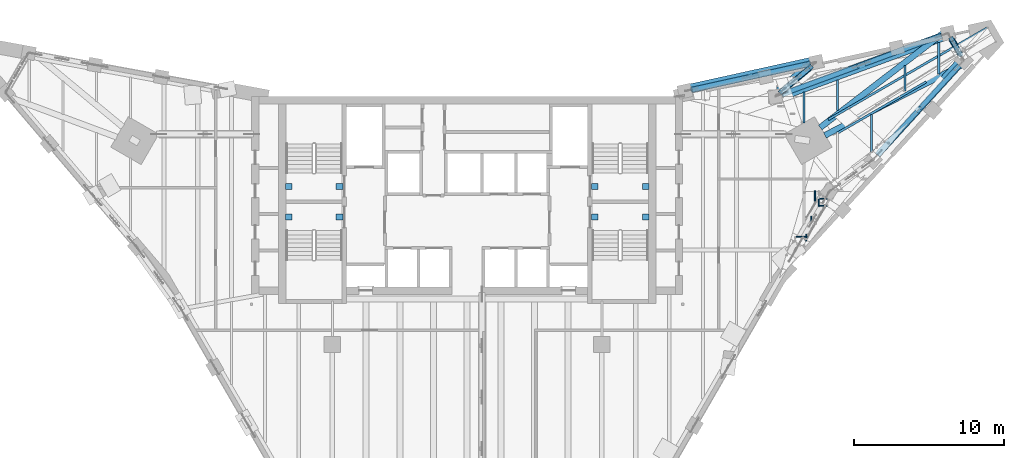
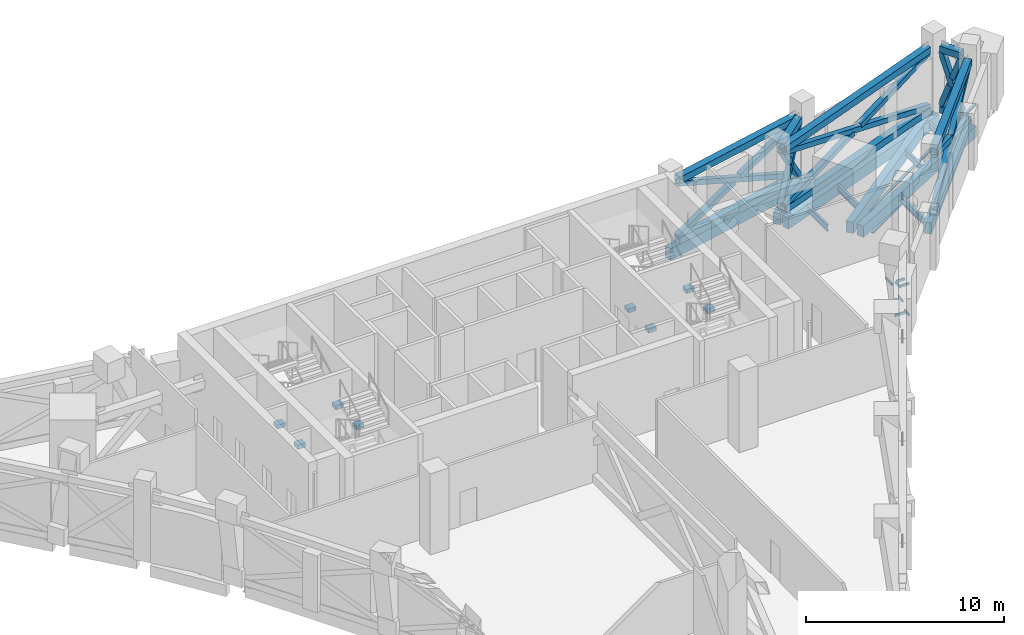
# One storey, part 5 of 23: 34 members, 19 beams, 1 element without a shape of its own.
"""IFC4 building model written with IfcOpenShell, lengths in metres."""

from ifc_helpers import new_model, si_unit, direction, frame, origin, origin_2d, place, context, subcontext, project, spatial, rectangle, hollow_rectangle, i_section, extrude, material, material_profile, profile_set, type_object, element, aggregate, save


model = new_model("IFC4")

# Units and contexts
model_context = context("Model", 3, precision=1e-05, world=origin(), true_north=direction((0.0, 1.0)))
body_context = subcontext(model_context, "Body", "Model", "MODEL_VIEW")
ifc_project = project(units=[si_unit("LENGTHUNIT", "METRE"), si_unit("AREAUNIT", "SQUARE_METRE"), si_unit("VOLUMEUNIT", "CUBIC_METRE"), si_unit("PLANEANGLEUNIT", "RADIAN"), si_unit("MASSUNIT", "GRAM", prefix="KILO")], contexts=[model_context])

# Site, building, storey
site_placement = place(None, origin())
site = spatial("IfcSite", under=ifc_project, at=site_placement, CompositionType="ELEMENT")
building_placement = place(site_placement, origin())
building = spatial("IfcBuilding", under=site, at=building_placement, Name="Calabash Gate Tower", CompositionType="ELEMENT")
storey_placement = place(building_placement, frame((0.0, 0.0, 243.199951171875)))
storey = spatial("IfcBuildingStorey", under=building, at=storey_placement, Name="L58", CompositionType="ELEMENT", Elevation=243.199951171875)

# Members
ifc_material_1 = material(Name="Steel ASTM A500 Gr C", Category="steel")
ifc_material_profile_1 = material_profile(ifc_material_1, hollow_rectangle(XDim=0.406494140625, YDim=0.406494140625, WallThickness=0.015869140625, at=origin_2d()))
ifc_profile_set_1 = profile_set([ifc_material_profile_1], Name="Steel ASTM A500 Gr C")
member_type_1 = type_object("IfcMemberType", Name="Belt truss chord HSS16X16X.625 ASTM A500 Gr C", PredefinedType="CHORD", material=ifc_profile_set_1)
for number, where, z_axis, x_axis, name in (
    (1, (27.407958984375, 15.158203125, 0.203369140625), (0.674845183732, 0.737959333564, 0.0), (-0.737959333564, 0.674845183732, 0.0), "Belt chord L58 56"),
    (2, (27.407958984375, 15.158203125, 3.9267578125), (0.674845183732, 0.737959333564, 0.0), (-0.737959333564, 0.674845183732, 0.0), "Belt chord L58 57"),
):
    element("IfcMember", number, at=place(storey_placement, frame(where, z_axis=z_axis, x_axis=x_axis)), inside=storey, type_object=member_type_1, Name=name, PredefinedType="CHORD", context=body_context, shape_type="SweptSolid", body=[
        extrude(hollow_rectangle(XDim=0.406494140625, YDim=0.406494140625, WallThickness=0.015869140625, at=origin_2d()), origin(), (0.0, 0.0, 1.0), 8.10009765625),
    ])
for number, where, z_axis, x_axis, name in (
    (3, (32.94189453125, 21.87646484375, 0.203369140625), (-0.499867053809, 0.866102146699, 0.0), (-0.866102146699, -0.499867053809, 0.0), "Belt chord L58 61"),
    (4, (32.94189453125, 21.87646484375, 3.9267578125), (-0.499867053809, 0.866102146699, 0.0), (-0.866102146699, -0.499867053809, 0.0), "Belt chord L58 62"),
):
    element("IfcMember", number, at=place(storey_placement, frame(where, z_axis=z_axis, x_axis=x_axis)), inside=storey, type_object=member_type_1, Name=name, PredefinedType="CHORD", context=body_context, shape_type="SweptSolid", body=[
        extrude(hollow_rectangle(XDim=0.406494140625, YDim=0.406494140625, WallThickness=0.015869140625, at=origin_2d()), origin(), (0.0, 0.0, 1.0), 1.169189453125),
    ])
for number, where, z_axis, x_axis, name in (
    (5, (31.695068359375, 23.14111328125, 0.203369140625), (-0.938548949122, -0.345146157593, 0.0), (0.345146157593, -0.938548949122, 0.0), "Belt chord L58 66"),
    (6, (31.695068359375, 23.14111328125, 3.9267578125), (-0.938548949122, -0.345146157593, 0.0), (0.345146157593, -0.938548949122, 0.0), "Belt chord L58 67"),
):
    element("IfcMember", number, at=place(storey_placement, frame(where, z_axis=z_axis, x_axis=x_axis)), inside=storey, type_object=member_type_1, Name=name, PredefinedType="CHORD", context=body_context, shape_type="SweptSolid", body=[
        extrude(hollow_rectangle(XDim=0.406494140625, YDim=0.406494140625, WallThickness=0.015869140625, at=origin_2d()), origin(), (0.0, 0.0, 1.0), 11.391845703125),
    ])
for number, where, z_axis, x_axis, name in (
    (7, (20.966064453125, 19.378173828125, 0.203369140625), (0.766908278406, 0.641756723777, 0.0), (-0.641756723777, 0.766908278406, 0.0), "Belt chord L58 71"),
    (8, (20.966064453125, 19.378173828125, 3.9267578125), (0.766908278406, 0.641756723777, 0.0), (-0.641756723777, 0.766908278406, 0.0), "Belt chord L58 72"),
):
    element("IfcMember", number, at=place(storey_placement, frame(where, z_axis=z_axis, x_axis=x_axis)), inside=storey, type_object=member_type_1, Name=name, PredefinedType="CHORD", context=body_context, shape_type="SweptSolid", body=[
        extrude(hollow_rectangle(XDim=0.406494140625, YDim=0.406494140625, WallThickness=0.015869140625, at=origin_2d()), origin(), (0.0, 0.0, 1.0), 2.578857421875),
    ])
for number, where, z_axis, x_axis, name in (
    (9, (22.893310546875, 21.26171875, 0.203369140625), (-0.976508666367, -0.215478130004, 0.0), (0.215478130004, -0.976508666367, 0.0), "Belt chord L58 76"),
    (10, (22.893310546875, 21.26171875, 3.9267578125), (-0.976508666367, -0.215478130004, 0.0), (0.215478130004, -0.976508666367, 0.0), "Belt chord L58 77"),
):
    element("IfcMember", number, at=place(storey_placement, frame(where, z_axis=z_axis, x_axis=x_axis)), inside=storey, type_object=member_type_1, Name=name, PredefinedType="CHORD", context=body_context, shape_type="SweptSolid", body=[
        extrude(hollow_rectangle(XDim=0.406494140625, YDim=0.406494140625, WallThickness=0.015869140625, at=origin_2d()), origin(), (0.0, 0.0, 1.0), 8.099853515625),
    ])
ifc_material_2 = material(Name="Steel ASTM A500 Gr C", Category="steel")
ifc_material_profile_2 = material_profile(ifc_material_2, hollow_rectangle(XDim=0.3046875, YDim=0.3046875, WallThickness=0.0126953125, at=origin_2d()))
ifc_profile_set_2 = profile_set([ifc_material_profile_2], Name="Steel ASTM A500 Gr C")
member_type_2 = type_object("IfcMemberType", Name="Belt truss diagonal HSS12X12X.500 ASTM A500 Gr C", PredefinedType="BRACE", material=ifc_profile_set_2)
member_1_placement = place(storey_placement, frame((27.407958984375, 15.158203125, 0.406494140625), z_axis=(0.624507261432, 0.682913612725, 0.378971869633), x_axis=(-0.737959333564, 0.674845183732, 0.0)))
element("IfcMember", 11, at=member_1_placement, inside=storey, type_object=member_type_2, Name="Belt diagonal L58 58", PredefinedType="BRACE", context=body_context, shape_type="SweptSolid", body=[
    extrude(hollow_rectangle(XDim=0.3046875, YDim=0.3046875, WallThickness=0.0126953125, at=origin_2d()), origin(), (0.0, 0.0, 1.0), 8.7529296875),
])
for number, where, z_axis, x_axis, name in (
    (12, (27.407958984375, 15.158203125, 3.7236328125), (0.624508677255, 0.682915119014, -0.378966822104), (-0.737959312921, 0.674845206306, 0.0), "Belt diagonal (split) L58 59 half 1 of 2"),
    (13, (30.27685546875, 18.29541015625, 1.982666015625), (0.624508677255, 0.682915119014, -0.378966822104), (-0.737959312921, 0.674845206306, 0.0), "Belt diagonal (split) L58 60 half 2 of 2"),
):
    element("IfcMember", number, at=place(storey_placement, frame(where, z_axis=z_axis, x_axis=x_axis)), inside=storey, type_object=member_type_2, Name=name, PredefinedType="BRACE", context=body_context, shape_type="SweptSolid", body=[
        extrude(hollow_rectangle(XDim=0.3046875, YDim=0.3046875, WallThickness=0.0126953125, at=origin_2d()), origin(), (0.0, 0.0, 1.0), 4.1591796875),
    ])
member_2_placement = place(storey_placement, frame((32.94189453125, 21.87646484375, 0.406494140625), z_axis=(-0.166176404942, 0.287928039974, 0.943123982432), x_axis=(-0.866102146699, -0.499867053809, 0.0)))
element("IfcMember", 14, at=member_2_placement, inside=storey, type_object=member_type_2, Name="Belt diagonal L58 63", PredefinedType="BRACE", context=body_context, shape_type="SweptSolid", body=[
    extrude(hollow_rectangle(XDim=0.3046875, YDim=0.3046875, WallThickness=0.0126953125, at=origin_2d()), origin(), (0.0, 0.0, 1.0), 3.51708984375),
])
for number, where, z_axis, x_axis, name in (
    (15, (32.94189453125, 21.87646484375, 3.7236328125), (-0.166236781268, 0.287853806323, -0.94313600225), (-0.865967678941, -0.500099969036, 0.0), "Belt diagonal (split) L58 64 half 1 of 2"),
    (16, (32.609130859375, 22.452880859375, 1.8359375), (-0.166080144277, 0.287861510983, -0.943161246114), (-0.866177516395, -0.499736440628, 0.0), "Belt diagonal (split) L58 65 half 2 of 2"),
):
    element("IfcMember", number, at=place(storey_placement, frame(where, z_axis=z_axis, x_axis=x_axis)), inside=storey, type_object=member_type_2, Name=name, PredefinedType="BRACE", context=body_context, shape_type="SweptSolid", body=[
        extrude(hollow_rectangle(XDim=0.3046875, YDim=0.3046875, WallThickness=0.0126953125, at=origin_2d()), origin(), (0.0, 0.0, 1.0), 1.515625),
    ])
member_3_placement = place(storey_placement, frame((31.695068359375, 23.14111328125, 0.406494140625), z_axis=(-0.901124077005, -0.331383368958, 0.279571923877), x_axis=(0.345146157593, -0.938548949122, 0.0)))
element("IfcMember", 17, at=member_3_placement, inside=storey, type_object=member_type_2, Name="Belt diagonal L58 68", PredefinedType="BRACE", context=body_context, shape_type="SweptSolid", body=[
    extrude(hollow_rectangle(XDim=0.3046875, YDim=0.3046875, WallThickness=0.0126953125, at=origin_2d()), origin(), (0.0, 0.0, 1.0), 11.864990234375),
])
for number, where, z_axis, x_axis, name in (
    (18, (31.695068359375, 23.14111328125, 3.7236328125), (-0.901129338223, -0.331380816162, -0.279557991253), (0.34514204044, -0.938550463172, 0.0), "Belt diagonal (split) L58 69 half 1 of 2"),
    (19, (26.09326171875, 21.0810546875, 1.985595703125), (-0.901129338223, -0.331380816162, -0.279557991253), (0.34514204044, -0.938550463172, 0.0), "Belt diagonal (split) L58 70 half 2 of 2"),
):
    element("IfcMember", number, at=place(storey_placement, frame(where, z_axis=z_axis, x_axis=x_axis)), inside=storey, type_object=member_type_2, Name=name, PredefinedType="BRACE", context=body_context, shape_type="SweptSolid", body=[
        extrude(hollow_rectangle(XDim=0.3046875, YDim=0.3046875, WallThickness=0.0126953125, at=origin_2d()), origin(), (0.0, 0.0, 1.0), 5.648681640625),
    ])
member_4_placement = place(storey_placement, frame((20.966064453125, 19.378173828125, 0.406494140625), z_axis=(0.470711910827, 0.39389656135, 0.789478179535), x_axis=(-0.641756723777, 0.766908278406, 0.0)))
element("IfcMember", 20, at=member_4_placement, inside=storey, type_object=member_type_2, Name="Belt diagonal L58 73", PredefinedType="BRACE", context=body_context, shape_type="SweptSolid", body=[
    extrude(hollow_rectangle(XDim=0.3046875, YDim=0.3046875, WallThickness=0.0126953125, at=origin_2d()), origin(), (0.0, 0.0, 1.0), 4.20166015625),
])
member_5_placement = place(storey_placement, frame((20.966064453125, 19.378173828125, 3.7236328125), z_axis=(0.470699452726, 0.393819798318, -0.78952390189), x_axis=(-0.641693147671, 0.766961475064, 0.0)))
element("IfcMember", 21, at=member_5_placement, inside=storey, type_object=member_type_2, Name="Belt diagonal (split) L58 74 half 1 of 2", PredefinedType="BRACE", context=body_context, shape_type="SweptSolid", body=[
    extrude(hollow_rectangle(XDim=0.3046875, YDim=0.3046875, WallThickness=0.0126953125, at=origin_2d()), origin(), (0.0, 0.0, 1.0), 1.943359375),
])
member_6_placement = place(storey_placement, frame((22.02880859375, 20.267578125, 1.94091796875), z_axis=(0.470773941804, 0.393902636472, -0.789438160149), x_axis=(-0.641712807278, 0.766945026045, 0.0)))
element("IfcMember", 22, at=member_6_placement, inside=storey, type_object=member_type_2, Name="Belt diagonal (split) L58 75 half 2 of 2", PredefinedType="BRACE", context=body_context, shape_type="SweptSolid", body=[
    extrude(hollow_rectangle(XDim=0.3046875, YDim=0.3046875, WallThickness=0.0126953125, at=origin_2d()), origin(), (0.0, 0.0, 1.0), 1.943603515625),
])
member_7_placement = place(storey_placement, frame((22.893310546875, 21.26171875, 0.406494140625), z_axis=(-0.903666776075, -0.199404709617, 0.378977729691), x_axis=(0.215478130004, -0.976508666367, 0.0)))
element("IfcMember", 23, at=member_7_placement, inside=storey, type_object=member_type_2, Name="Belt diagonal L58 78", PredefinedType="BRACE", context=body_context, shape_type="SweptSolid", body=[
    extrude(hollow_rectangle(XDim=0.3046875, YDim=0.3046875, WallThickness=0.0126953125, at=origin_2d()), origin(), (0.0, 0.0, 1.0), 8.7529296875),
])
for number, where, z_axis, x_axis, name in (
    (24, (22.893310546875, 21.26171875, 3.7236328125), (-0.903674144919, -0.199401173777, -0.378962018811), (0.215472811081, -0.976509840035, 0.0), "Belt diagonal (split) L58 79 half 1 of 2"),
    (25, (18.7421875, 20.345703125, 1.982666015625), (-0.903674144919, -0.199401173777, -0.378962018811), (0.215472811081, -0.976509840035, 0.0), "Belt diagonal (split) L58 80 half 2 of 2"),
):
    element("IfcMember", number, at=place(storey_placement, frame(where, z_axis=z_axis, x_axis=x_axis)), inside=storey, type_object=member_type_2, Name=name, PredefinedType="BRACE", context=body_context, shape_type="SweptSolid", body=[
        extrude(hollow_rectangle(XDim=0.3046875, YDim=0.3046875, WallThickness=0.0126953125, at=origin_2d()), origin(), (0.0, 0.0, 1.0), 4.1591796875),
    ])

# Beams
ifc_material_3 = material(Name="Concrete C50/60", Category="concrete")
ifc_material_profile_3 = material_profile(ifc_material_3, rectangle(XDim=0.39990234375, YDim=0.699951171875, at=origin_2d()))
ifc_profile_set_3 = profile_set([ifc_material_profile_3], Name="Concrete C50/60")
beam_type_1 = type_object("IfcBeamType", Name="Edge beam RC 400x700 Concrete C50/60", PredefinedType="BEAM", material=ifc_profile_set_3)
beam_1_placement = place(storey_placement, frame((26.95703125, 14.9609375, -0.52001953125), z_axis=(0.674783130789, 0.738016074623, 0.0), x_axis=(-0.738016074623, 0.674783130789, 0.0)))
element("IfcBeam", 26, at=beam_1_placement, inside=storey, type_object=beam_type_1, Name="Edge beam L58 12", PredefinedType="BEAM", context=body_context, shape_type="SweptSolid", body=[
    extrude(rectangle(XDim=0.39990234375, YDim=0.699951171875, at=origin_2d()), origin(), (0.0, 0.0, 1.0), 9.0),
])
beam_2_placement = place(storey_placement, frame((33.26904296875, 21.2900390625, -0.52001953125), z_axis=(-0.889261681498, -0.457398799539, 0.0), x_axis=(0.457398799539, -0.889261681498, 0.0)))
element("IfcBeam", 27, at=beam_2_placement, inside=storey, type_object=beam_type_1, Name="Edge beam L58 13", PredefinedType="BEAM", context=body_context, shape_type="SweptSolid", body=[
    extrude(rectangle(XDim=0.39990234375, YDim=0.699951171875, at=origin_2d()), origin(), (0.0, 0.0, 1.0), 10.535888671875),
])
beam_3_placement = place(storey_placement, frame((23.5869140625, 16.993896484375, -0.52001953125), z_axis=(0.793019961147, 0.609195651021, 0.0), x_axis=(-0.609195651021, 0.793019961147, 0.0)))
element("IfcBeam", 28, at=beam_3_placement, inside=storey, type_object=beam_type_1, Name="Edge beam L58 14", PredefinedType="BEAM", context=body_context, shape_type="SweptSolid", body=[
    extrude(rectangle(XDim=0.39990234375, YDim=0.699951171875, at=origin_2d()), origin(), (0.0, 0.0, 1.0), 10.607666015625),
])
beam_4_placement = place(storey_placement, frame((32.18994140625, 23.110107421875, -0.52001953125), z_axis=(-0.938542345577, -0.34516411395, 0.0), x_axis=(0.34516411395, -0.938542345577, 0.0)))
element("IfcBeam", 29, at=beam_4_placement, inside=storey, type_object=beam_type_1, Name="Edge beam L58 15", PredefinedType="BEAM", context=body_context, shape_type="SweptSolid", body=[
    extrude(rectangle(XDim=0.39990234375, YDim=0.699951171875, at=origin_2d()), origin(), (0.0, 0.0, 1.0), 11.916259765625),
])
beam_5_placement = place(storey_placement, frame((20.779052734375, 19.48193359375, -0.52001953125), z_axis=(0.766795668669, 0.641891270007, 0.0), x_axis=(-0.641891270007, 0.766795668669, 0.0)))
element("IfcBeam", 30, at=beam_5_placement, inside=storey, type_object=beam_type_1, Name="Edge beam L58 16", PredefinedType="BEAM", context=body_context, shape_type="SweptSolid", body=[
    extrude(rectangle(XDim=0.39990234375, YDim=0.699951171875, at=origin_2d()), origin(), (0.0, 0.0, 1.0), 3.16259765625),
])
beam_6_placement = place(storey_placement, frame((23.2900390625, 21.553955078125, -0.52001953125), z_axis=(-0.97656470615, -0.215224010516, 0.0), x_axis=(0.215224010516, -0.97656470615, 0.0)))
element("IfcBeam", 31, at=beam_6_placement, inside=storey, type_object=beam_type_1, Name="Edge beam L58 17", PredefinedType="BEAM", context=body_context, shape_type="SweptSolid", body=[
    extrude(rectangle(XDim=0.39990234375, YDim=0.699951171875, at=origin_2d()), origin(), (0.0, 0.0, 1.0), 9.0),
])
ifc_material_4 = material(Name="Steel ASTM A992 Gr50", Category="steel")
ifc_material_profile_4 = material_profile(ifc_material_4, i_section(OverallWidth=0.1396484375, OverallDepth=0.398681640625, WebThickness=0.00634765625, FlangeThickness=0.0087890625, FilletRadius=0.01025390625, at=origin_2d()))
ifc_profile_set_4 = profile_set([ifc_material_profile_4], Name="Steel ASTM A992 Gr50")
beam_type_2 = type_object("IfcBeamType", Name="Floor beam W16x26 ASTM A992 Gr50", PredefinedType="BEAM", material=ifc_profile_set_4)
beam_7_placement = place(storey_placement, frame((22.5, 17.303955078125, -0.368896484375), z_axis=(0.0, 1.0, 0.0), x_axis=(-1.0, 0.0, 0.0)))
element("IfcBeam", 32, at=beam_7_placement, inside=storey, type_object=beam_type_2, Name="Floor beam L58 41", PredefinedType="BEAM", context=body_context, shape_type="SweptSolid", body=[
    extrude(i_section(OverallWidth=0.1396484375, OverallDepth=0.398681640625, WebThickness=0.00634765625, FlangeThickness=0.0087890625, FilletRadius=0.01025390625, at=origin_2d()), origin(), (0.0, 0.0, 1.0), 2.06201171875),
])
beam_8_placement = place(storey_placement, frame((24.75, 18.1279296875, -0.368896484375), z_axis=(0.0, 1.0, 0.0), x_axis=(-1.0, 0.0, 0.0)))
element("IfcBeam", 33, at=beam_8_placement, inside=storey, type_object=beam_type_2, Name="Floor beam L58 43", PredefinedType="BEAM", context=body_context, shape_type="SweptSolid", body=[
    extrude(i_section(OverallWidth=0.1396484375, OverallDepth=0.398681640625, WebThickness=0.00634765625, FlangeThickness=0.0087890625, FilletRadius=0.01025390625, at=origin_2d()), origin(), (0.0, 0.0, 1.0), 2.045166015625),
])
beam_9_placement = place(storey_placement, frame((27.0, 15.29296875, -0.368896484375), z_axis=(0.0, 1.0, 0.0), x_axis=(-1.0, 0.0, 0.0)))
element("IfcBeam", 34, at=beam_9_placement, inside=storey, type_object=beam_type_2, Name="Floor beam L58 44", PredefinedType="BEAM", context=body_context, shape_type="SweptSolid", body=[
    extrude(i_section(OverallWidth=0.1396484375, OverallDepth=0.398681640625, WebThickness=0.00634765625, FlangeThickness=0.0087890625, FilletRadius=0.01025390625, at=origin_2d()), origin(), (0.0, 0.0, 1.0), 2.570068359375),
])
beam_10_placement = place(storey_placement, frame((29.25, 19.426025390625, -0.368896484375), z_axis=(0.0, 1.0, 0.0), x_axis=(-1.0, 0.0, 0.0)))
element("IfcBeam", 35, at=beam_10_placement, inside=storey, type_object=beam_type_2, Name="Floor beam L58 45", PredefinedType="BEAM", context=body_context, shape_type="SweptSolid", body=[
    extrude(i_section(OverallWidth=0.1396484375, OverallDepth=0.398681640625, WebThickness=0.00634765625, FlangeThickness=0.0087890625, FilletRadius=0.01025390625, at=origin_2d()), origin(), (0.0, 0.0, 1.0), 1.697998046875),
])
beam_11_placement = place(storey_placement, frame((31.5, 20.5830078125, -0.368896484375), z_axis=(0.0, 1.0, 0.0), x_axis=(-1.0, 0.0, 0.0)))
element("IfcBeam", 36, at=beam_11_placement, inside=storey, type_object=beam_type_2, Name="Floor beam L58 46", PredefinedType="BEAM", context=body_context, shape_type="SweptSolid", body=[
    extrude(i_section(OverallWidth=0.1396484375, OverallDepth=0.398681640625, WebThickness=0.00634765625, FlangeThickness=0.0087890625, FilletRadius=0.01025390625, at=origin_2d()), origin(), (0.0, 0.0, 1.0), 2.0849609375),
])
ifc_material_5 = material(Name="Concrete C60/75", Category="concrete")
ifc_material_profile_5 = material_profile(ifc_material_5, rectangle(XDim=0.39990234375, YDim=0.25, at=origin_2d()))
ifc_profile_set_5 = profile_set([ifc_material_profile_5], Name="Concrete C60/75")
beam_type_3 = type_object("IfcBeamType", Name="Landing corbel RC 400x250 Concrete C60/75", PredefinedType="BEAM", material=ifc_profile_set_5)
for number, where, z_axis, x_axis, name in (
    (37, (-12.14990234375, 13.052978515625, 2.174072265625), (1.0, 0.0, 0.0), (0.0, 1.0, 0.0), "Landing corbel ST1-L58/L2 west"),
    (38, (-8.300048828125, 13.052978515625, 2.174072265625), (-1.0, 0.0, 0.0), (0.0, -1.0, 0.0), "Landing corbel ST1-L58/L2 east"),
    (39, (-12.14990234375, 11.0029296875, 2.174072265625), (1.0, 0.0, 0.0), (0.0, 1.0, 0.0), "Landing corbel ST2-L58/L2 west"),
    (40, (-8.300048828125, 11.0029296875, 2.174072265625), (-1.0, 0.0, 0.0), (0.0, -1.0, 0.0), "Landing corbel ST2-L58/L2 east"),
    (41, (8.300048828125, 13.052978515625, 2.174072265625), (1.0, 0.0, 0.0), (0.0, 1.0, 0.0), "Landing corbel ST3-L58/L2 west"),
    (42, (12.14990234375, 13.052978515625, 2.174072265625), (-1.0, 0.0, 0.0), (0.0, -1.0, 0.0), "Landing corbel ST3-L58/L2 east"),
    (43, (8.300048828125, 11.0029296875, 2.174072265625), (1.0, 0.0, 0.0), (0.0, 1.0, 0.0), "Landing corbel ST4-L58/L2 west"),
    (44, (12.14990234375, 11.0029296875, 2.174072265625), (-1.0, 0.0, 0.0), (0.0, -1.0, 0.0), "Landing corbel ST4-L58/L2 east"),
):
    element("IfcBeam", number, at=place(storey_placement, frame(where, z_axis=z_axis, x_axis=x_axis)), inside=storey, type_object=beam_type_3, Name=name, PredefinedType="BEAM", context=body_context, shape_type="SweptSolid", body=[
        extrude(rectangle(XDim=0.39990234375, YDim=0.25, at=origin_2d()), origin(), (0.0, 0.0, 1.0), 0.449951171875),
    ])

# Curtain wall, members
ifc_material_6 = material(Name="Anodised aluminium frame, bronze finish, dark tinted laminated glass", Category="aluminium")
curtain_wall_type = type_object("IfcCurtainWallType", Name="Curtain wall CWD soffit glazing", PredefinedType="NOTDEFINED", material=ifc_material_6)
curtain_wall_placement = place(storey_placement, origin())
curtain_wall = element("IfcCurtainWall", 45, at=curtain_wall_placement, inside=storey, type_object=curtain_wall_type, Name="Curtain wall CWD soffit Z5 NE", PredefinedType="NOTDEFINED")
ifc_material_7 = material(Name="Anodised aluminium frame, bronze finish", Category="aluminium")
ifc_material_profile_6 = material_profile(ifc_material_7, rectangle(XDim=0.14990234375, YDim=0.070068359375, at=origin_2d()))
ifc_profile_set_6 = profile_set([ifc_material_profile_6], Name="Anodised aluminium frame, bronze finish")
member_type_3 = type_object("IfcMemberType", Name="Soffit raking mullion 150x70", PredefinedType="MULLION", material=ifc_profile_set_6)
member_8_placement = place(storey_placement, frame((23.56103515625, 12.2333984375, -0.95751953125), z_axis=(0.999699709965, 0.0, -0.024504895342), x_axis=(0.024504895342, 0.0, 0.999699709965)))
member_8 = element("IfcMember", 46, at=member_8_placement, type_object=member_type_3, Name="Soffit joint mullion Z5 NE 4", PredefinedType="MULLION", context=body_context, shape_type="SweptSolid", body=[
    extrude(rectangle(XDim=0.14990234375, YDim=0.070068359375, at=origin_2d()), origin(), (0.0, 0.0, 1.0), 0.48828125),
])
member_9_placement = place(storey_placement, frame((23.56103515625, 11.778076171875, -0.966064453125), z_axis=(0.999702098068, 0.0, -0.024407275937), x_axis=(0.024407275937, 0.0, 0.999702098068)))
member_9 = element("IfcMember", 47, at=member_9_placement, type_object=member_type_3, Name="Soffit joint mullion Z5 NE 5", PredefinedType="MULLION", context=body_context, shape_type="SweptSolid", body=[
    extrude(rectangle(XDim=0.14990234375, YDim=0.070068359375, at=origin_2d()), origin(), (0.0, 0.0, 1.0), 0.490234375),
])
member_10_placement = place(storey_placement, frame((22.660888671875, 9.85791015625, -0.979736328125), z_axis=(0.0, -0.999831342709, -0.018365351514), x_axis=(0.0, -0.018365351514, 0.999831342709)))
member_10 = element("IfcMember", 48, at=member_10_placement, type_object=member_type_3, Name="Soffit joint mullion Z5 NE 6", PredefinedType="MULLION", context=body_context, shape_type="SweptSolid", body=[
    extrude(rectangle(XDim=0.14990234375, YDim=0.070068359375, at=origin_2d()), origin(), (0.0, 0.0, 1.0), 0.451904296875),
])
member_11_placement = place(storey_placement, frame((23.23291015625, 12.76904296875, -0.939697265625), z_axis=(0.0, -0.999828216473, -0.018534765818), x_axis=(0.0, -0.018534765818, 0.999828216473)))
member_11 = element("IfcMember", 49, at=member_11_placement, type_object=member_type_3, Name="Soffit joint mullion Z5 NE 7", PredefinedType="MULLION", context=body_context, shape_type="SweptSolid", body=[
    extrude(rectangle(XDim=0.14990234375, YDim=0.070068359375, at=origin_2d()), origin(), (0.0, 0.0, 1.0), 0.697998046875),
])
member_12_placement = place(storey_placement, frame((22.72412109375, 9.68359375, -0.984619140625), z_axis=(-0.999690745235, 0.0, 0.024867928986), x_axis=(0.024867928986, 0.0, 0.999690745235)))
member_12 = element("IfcMember", 50, at=member_12_placement, type_object=member_type_3, Name="Soffit joint mullion Z5 NE 9", PredefinedType="MULLION", context=body_context, shape_type="SweptSolid", body=[
    extrude(rectangle(XDim=0.14990234375, YDim=0.070068359375, at=origin_2d()), origin(), (0.0, 0.0, 1.0), 0.736328125),
])
member_13_placement = place(storey_placement, frame((23.48095703125, 11.7041015625, -0.965576171875), z_axis=(0.0, 0.999827888055, 0.018552473349), x_axis=(0.0, -0.018552473349, 0.999827888055)))
member_13 = element("IfcMember", 51, at=member_13_placement, type_object=member_type_3, Name="Soffit joint mullion Z5 NE 10", PredefinedType="MULLION", context=body_context, shape_type="SweptSolid", body=[
    extrude(rectangle(XDim=0.14990234375, YDim=0.070068359375, at=origin_2d()), origin(), (0.0, 0.0, 1.0), 0.48681640625),
])
member_14_placement = place(storey_placement, frame((22.99658203125, 11.052001953125, -0.9658203125), z_axis=(0.0, -0.999834751713, -0.018178813668), x_axis=(0.0, -0.018178813668, 0.999834751713)))
member_14 = element("IfcMember", 52, at=member_14_placement, type_object=member_type_3, Name="Soffit joint mullion Z5 NE 13", PredefinedType="MULLION", context=body_context, shape_type="SweptSolid", body=[
    extrude(rectangle(XDim=0.14990234375, YDim=0.070068359375, at=origin_2d()), origin(), (0.0, 0.0, 1.0), 0.469970703125),
])
member_15_placement = place(storey_placement, frame((24.6611328125, 16.579833984375, -0.97900390625), z_axis=(0.866010429071, 0.499984772267, 0.006415936583), x_axis=(-0.499995063332, 0.866028253952, 0.0)))
member_15 = element("IfcMember", 53, at=member_15_placement, type_object=member_type_3, Name="Soffit raking mullion Z5 NE 1", PredefinedType="MULLION", context=body_context, shape_type="SweptSolid", body=[
    extrude(rectangle(XDim=0.14990234375, YDim=0.070068359375, at=origin_2d()), origin(), (0.0, 0.0, 1.0), 6.925537109375),
])
member_16_placement = place(storey_placement, frame((24.1181640625, 17.520263671875, -0.97900390625), z_axis=(0.866006198633, 0.499991833529, 0.006436639942), x_axis=(-0.500002191265, 0.866024138653, 0.0)))
member_16 = element("IfcMember", 54, at=member_16_placement, type_object=member_type_3, Name="Soffit raking mullion Z5 NE 2", PredefinedType="MULLION", context=body_context, shape_type="SweptSolid", body=[
    extrude(rectangle(XDim=0.14990234375, YDim=0.070068359375, at=origin_2d()), origin(), (0.0, 0.0, 1.0), 12.289306640625),
])
aggregate(curtain_wall, [member_8, member_9, member_10, member_11, member_12, member_13, member_14, member_15, member_16])

save(model, "model.ifc")
